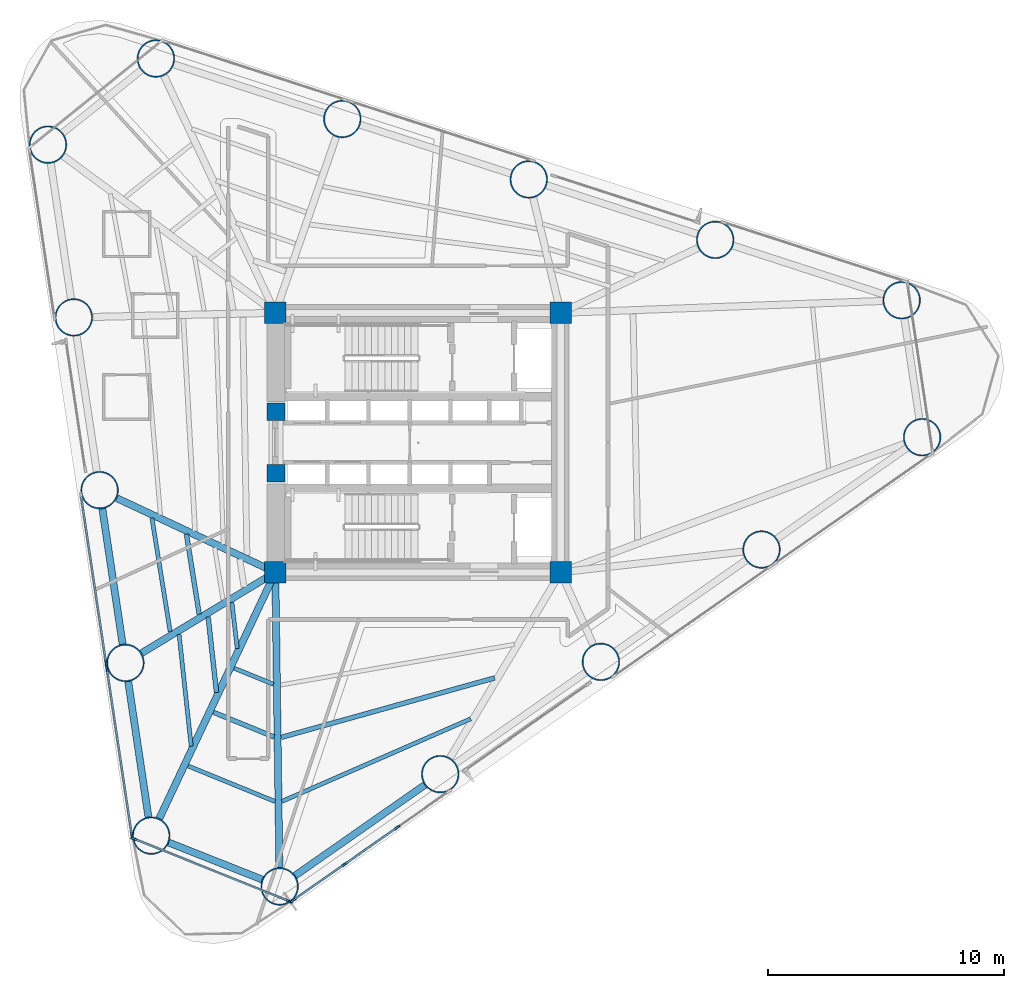
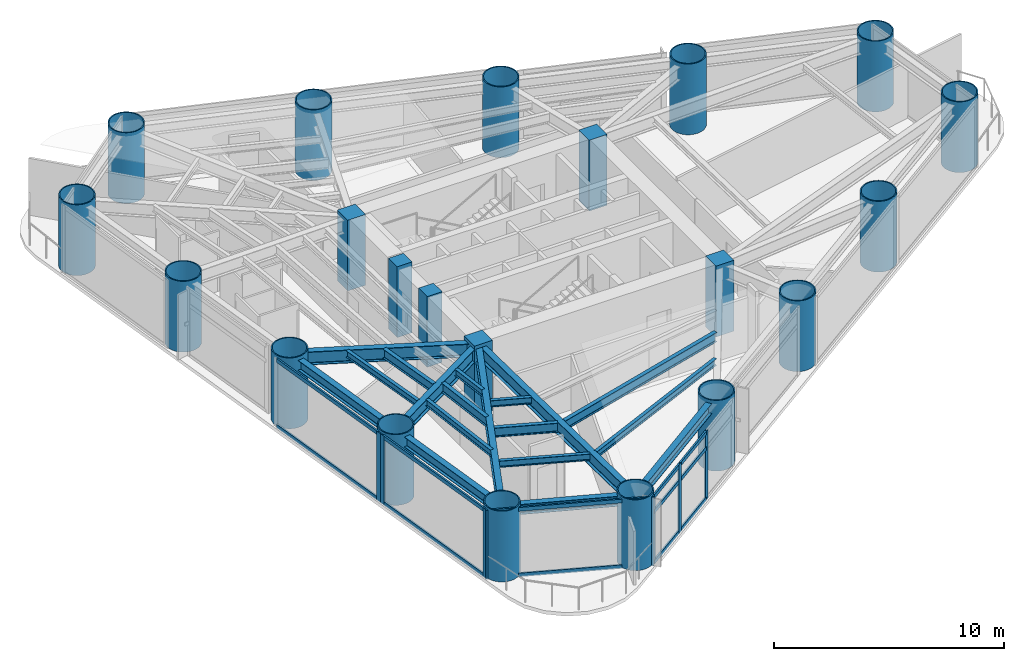
# One storey, part 1 of 11: 21 columns, 20 members, 18 beams, 4 elements without a shape of their own.
"""IFC4 building model written with IfcOpenShell, lengths in metres."""

from ifc_helpers import new_model, si_unit, direction, frame, origin, origin_2d, place, context, subcontext, project, spatial, rectangle, hollow_circle, i_section, extrude, source, transform, mapped, material, layer, layer_set, material_profile, profile_set, type_object, element, aggregate, save


model = new_model("IFC4")

# Units and contexts
model_context = context("Model", 3, precision=1e-05, world=origin(), true_north=direction((0.0, 1.0)))
body_context = subcontext(model_context, "Body", "Model", "MODEL_VIEW")
ifc_project = project(units=[si_unit("LENGTHUNIT", "METRE"), si_unit("AREAUNIT", "SQUARE_METRE"), si_unit("VOLUMEUNIT", "CUBIC_METRE"), si_unit("PLANEANGLEUNIT", "RADIAN"), si_unit("MASSUNIT", "GRAM", prefix="KILO")], contexts=[model_context])

# Site, building, storey
site_placement = place(None, origin())
site = spatial("IfcSite", under=ifc_project, at=site_placement, CompositionType="ELEMENT")
building_placement = place(site_placement, origin())
building = spatial("IfcBuilding", under=site, at=building_placement, Name="Yunling Apex Tower", CompositionType="ELEMENT")
storey_placement = place(building_placement, frame((0.0, 0.0, 54.800048828125)))
storey = spatial("IfcBuildingStorey", under=building, at=storey_placement, Name="L14", CompositionType="ELEMENT", Elevation=54.800048828125)

# Columns
ifc_material_1 = material(Name="Concrete C60", Category="concrete")
ifc_material_profile_1 = material_profile(ifc_material_1, rectangle(XDim=0.89990234375, YDim=0.89990234375, at=origin_2d()))
ifc_profile_set_1 = profile_set([ifc_material_profile_1], Name="Concrete C60")
column_type_1 = type_object("IfcColumnType", Name="PC-SRC-3", PredefinedType="COLUMN", material=ifc_profile_set_1)
shared_shape_1 = source(origin(), body_context, "Body", "SweptSolid", [
    extrude(rectangle(XDim=0.89990234375, YDim=0.89990234375, at=origin_2d()), origin(), (0.0, 0.0, 1.0), 3.75),
])
for number, where, z_axis, x_axis, name in (
    (1, (-6.050048828125, -5.5, 0.0), (0.0, 0.0, 1.0), (1.0, 0.0, 0.0), "L14 Core Spine Column CC-SW"),
    (2, (6.050048828125, -5.5, 0.0), (0.0, 0.0, 1.0), (1.0, 0.0, 0.0), "L14 Core Spine Column CC-SE"),
    (3, (6.050048828125, 5.5, 0.0), (0.0, 0.0, 1.0), (1.0, 0.0, 0.0), "L14 Core Spine Column CC-NE"),
    (4, (-6.050048828125, 5.5, 0.0), (0.0, 0.0, 1.0), (1.0, 0.0, 0.0), "L14 Core Spine Column CC-NW"),
):
    element("IfcColumn", number, at=place(storey_placement, frame(where, z_axis=z_axis, x_axis=x_axis)), inside=storey, type_object=column_type_1, Name=name, PredefinedType="COLUMN", context=body_context, shape_type="MappedRepresentation", body=[
        mapped(shared_shape_1, transform((0.0, 0.0, 0.0), scale=1.0)),
    ])
ifc_material_2 = material(Name="Concrete C50", Category="concrete")
ifc_material_profile_2 = material_profile(ifc_material_2, rectangle(XDim=0.75, YDim=0.75, at=origin_2d()))
ifc_profile_set_2 = profile_set([ifc_material_profile_2], Name="Concrete C50")
column_type_2 = type_object("IfcColumnType", Name="PC-SRC-4", PredefinedType="COLUMN", material=ifc_profile_set_2)
shared_shape_2 = source(origin(), body_context, "Body", "SweptSolid", [
    extrude(rectangle(XDim=0.75, YDim=0.75, at=origin_2d()), origin(), (0.0, 0.0, 1.0), 3.75),
])
for number, where, z_axis, x_axis, name in (
    (5, (-6.02490234375, -1.300048828125, 0.0), (0.0, 0.0, 1.0), (1.0, 0.0, 0.0), "L14 Core West Portal Jamb Column S"),
    (6, (-6.02490234375, 1.300048828125, 0.0), (0.0, 0.0, 1.0), (1.0, 0.0, 0.0), "L14 Core West Portal Jamb Column N"),
):
    element("IfcColumn", number, at=place(storey_placement, frame(where, z_axis=z_axis, x_axis=x_axis)), inside=storey, type_object=column_type_2, Name=name, PredefinedType="COLUMN", context=body_context, shape_type="MappedRepresentation", body=[
        mapped(shared_shape_2, transform((0.0, 0.0, 0.0), scale=1.0)),
    ])
ifc_material_3 = material(Name="Steel Q390GJC", Category="steel")
ifc_material_profile_3 = material_profile(ifc_material_3, hollow_circle(Radius=0.800048828125, WallThickness=0.054931640625, at=origin_2d()))
ifc_profile_set_3 = profile_set([ifc_material_profile_3], Name="Steel Q390GJC")
column_type_3 = type_object("IfcColumnType", Name="MC-CFST-1", PredefinedType="COLUMN", material=ifc_profile_set_3)
shared_shape_3 = source(origin(), body_context, "Body", "SweptSolid", [
    extrude(hollow_circle(Radius=0.800048828125, WallThickness=0.054931640625, at=origin_2d()), origin(), (0.0, 0.0, 1.0), 3.75),
])
for number, where, z_axis, x_axis, name in (
    (7, (-5.8681640625, -18.8193359375, 0.0), (0.0, 0.0, 1.0), (1.0, 0.0, 0.0), "L14 Perimeter CFST Mega-Column P01"),
    (8, (0.941650390625, -14.05810546875, 0.0), (0.0, 0.0, 1.0), (1.0, 0.0, 0.0), "L14 Perimeter CFST Mega-Column P02"),
    (9, (7.751708984375, -9.296875, 0.0), (0.0, 0.0, 1.0), (1.0, 0.0, 0.0), "L14 Perimeter CFST Mega-Column P03"),
    (10, (14.5615234375, -4.535400390625, 0.0), (0.0, 0.0, 1.0), (1.0, 0.0, 0.0), "L14 Perimeter CFST Mega-Column P04"),
    (11, (21.371337890625, 0.225830078125, 0.0), (0.0, 0.0, 1.0), (1.0, 0.0, 0.0), "L14 Perimeter CFST Mega-Column P05"),
    (12, (20.50341796875, 6.032470703125, 0.0), (0.0, 0.0, 1.0), (1.0, 0.0, 0.0), "L14 Perimeter CFST Mega-Column P06"),
    (13, (12.59912109375, 8.594482421875, 0.0), (0.0, 0.0, 1.0), (1.0, 0.0, 0.0), "L14 Perimeter CFST Mega-Column P07"),
    (14, (4.69482421875, 11.15673828125, 0.0), (0.0, 0.0, 1.0), (1.0, 0.0, 0.0), "L14 Perimeter CFST Mega-Column P08"),
    (15, (-3.209716796875, 13.718994140625, 0.0), (0.0, 0.0, 1.0), (1.0, 0.0, 0.0), "L14 Perimeter CFST Mega-Column P09"),
    (16, (-11.114013671875, 16.28125, 0.0), (0.0, 0.0, 1.0), (1.0, 0.0, 0.0), "L14 Perimeter CFST Mega-Column P10"),
    (17, (-15.689208984375, 12.62939453125, 0.0), (0.0, 0.0, 1.0), (1.0, 0.0, 0.0), "L14 Perimeter CFST Mega-Column P11"),
    (18, (-14.594482421875, 5.305908203125, 0.0), (0.0, 0.0, 1.0), (1.0, 0.0, 0.0), "L14 Perimeter CFST Mega-Column P12"),
    (19, (-13.5, -2.017578125, 0.0), (0.0, 0.0, 1.0), (1.0, 0.0, 0.0), "L14 Perimeter CFST Mega-Column P13"),
    (20, (-12.405517578125, -9.341064453125, 0.0), (0.0, 0.0, 1.0), (1.0, 0.0, 0.0), "L14 Perimeter CFST Mega-Column P14"),
    (21, (-11.31103515625, -16.66455078125, 0.0), (0.0, 0.0, 1.0), (1.0, 0.0, 0.0), "L14 Perimeter CFST Mega-Column P15"),
):
    element("IfcColumn", number, at=place(storey_placement, frame(where, z_axis=z_axis, x_axis=x_axis)), inside=storey, type_object=column_type_3, Name=name, PredefinedType="COLUMN", context=body_context, shape_type="MappedRepresentation", body=[
        mapped(shared_shape_3, transform((0.0, 0.0, 0.0), scale=1.0)),
    ])

# Beams
ifc_material_4 = material(Name="Steel Q355B", Category="steel")
ifc_material_profile_4 = material_profile(ifc_material_4, i_section(OverallWidth=0.300048828125, OverallDepth=0.5400390625, WebThickness=0.011962890625, FlangeThickness=0.02001953125, FilletRadius=0.02392578125, at=origin_2d()))
ifc_profile_set_4 = profile_set([ifc_material_profile_4], Name="Steel Q355B")
beam_type_1 = type_object("IfcBeamType", Name="BP-SPN-1", PredefinedType="SPANDREL", material=ifc_profile_set_4)
shared_shape_4 = source(origin(), body_context, "Body", "SweptSolid", [
    extrude(i_section(OverallWidth=0.300048828125, OverallDepth=0.5400390625, WebThickness=0.011962890625, FlangeThickness=0.02001953125, FilletRadius=0.02392578125, at=origin_2d()), origin(), (0.0, 0.0, 1.0), 6.721435546875),
])
beam_1_placement = place(storey_placement, frame((-5.217529296875, -18.364501953125, 3.294921875), z_axis=(0.81955772083, 0.572996633697, 0.0), x_axis=(-0.572996633697, 0.81955772083, 0.0)))
element("IfcBeam", 22, at=beam_1_placement, inside=storey, type_object=beam_type_1, Name="L14 Perimeter Spandrel Beam 1", PredefinedType="SPANDREL", context=body_context, shape_type="MappedRepresentation", body=[
    mapped(shared_shape_4, transform((0.0, 0.0, 0.0), scale=1.0)),
])
shared_shape_5 = source(origin(), body_context, "Body", "SweptSolid", [
    extrude(i_section(OverallWidth=0.300048828125, OverallDepth=0.5400390625, WebThickness=0.011962890625, FlangeThickness=0.02001953125, FilletRadius=0.02392578125, at=origin_2d()), origin(), (0.0, 0.0, 1.0), 4.265869140625),
])
beam_2_placement = place(storey_placement, frame((-10.57275390625, -16.956787109375, 3.294921875), z_axis=(0.929781313093, -0.368112360323, 0.0), x_axis=(0.368112360323, 0.929781313093, 0.0)))
element("IfcBeam", 23, at=beam_2_placement, inside=storey, type_object=beam_type_1, Name="L14 Perimeter Spandrel Beam 15", PredefinedType="SPANDREL", context=body_context, shape_type="MappedRepresentation", body=[
    mapped(shared_shape_5, transform((0.0, 0.0, 0.0), scale=1.0)),
])
shared_shape_6 = source(origin(), body_context, "Body", "SweptSolid", [
    extrude(i_section(OverallWidth=0.300048828125, OverallDepth=0.5400390625, WebThickness=0.011962890625, FlangeThickness=0.02001953125, FilletRadius=0.02392578125, at=origin_2d()), origin(), (0.0, 0.0, 1.0), 5.81689453125),
])
for number, where, z_axis, x_axis, name in (
    (24, (-13.3828125, -2.802978515625, 3.294921875), (0.147823230204, -0.989013797989, 0.0), (0.989013797989, 0.147823230204, 0.0), "L14 Perimeter Spandrel Beam 13"),
    (25, (-12.2880859375, -10.12646484375, 3.294921875), (0.14778217558, -0.989019933359, 0.0), (0.989019933359, 0.14778217558, 0.0), "L14 Perimeter Spandrel Beam 14"),
):
    element("IfcBeam", number, at=place(storey_placement, frame(where, z_axis=z_axis, x_axis=x_axis)), inside=storey, type_object=beam_type_1, Name=name, PredefinedType="SPANDREL", context=body_context, shape_type="MappedRepresentation", body=[
        mapped(shared_shape_6, transform((0.0, 0.0, 0.0), scale=1.0)),
    ])
ifc_material_profile_5 = material_profile(ifc_material_4, i_section(OverallWidth=0.300048828125, OverallDepth=0.699951171875, WebThickness=0.012939453125, FlangeThickness=0.02392578125, FilletRadius=0.02587890625, at=origin_2d()))
ifc_profile_set_5 = profile_set([ifc_material_profile_5], Name="Steel Q355B")
beam_type_2 = type_object("IfcBeamType", Name="BG-PRI-3", PredefinedType="USERDEFINED", material=ifc_profile_set_5)
shared_shape_7 = source(origin(), body_context, "Body", "SweptSolid", [
    extrude(i_section(OverallWidth=0.300048828125, OverallDepth=0.699951171875, WebThickness=0.012939453125, FlangeThickness=0.02392578125, FilletRadius=0.02587890625, at=origin_2d()), origin(), (0.0, 0.0, 1.0), 12.4326171875),
])
beam_3_placement = place(storey_placement, frame((-5.879150390625, -18.011474609375, 3.21484375), z_axis=(-0.013647857779, 0.999906863652, 0.0), x_axis=(-0.999906863652, -0.013647857779, 0.0)))
element("IfcBeam", 26, at=beam_3_placement, inside=storey, type_object=beam_type_2, Name="L14 Radial Primary Girder R01", ObjectType="GIRDER", PredefinedType="USERDEFINED", context=body_context, shape_type="MappedRepresentation", body=[
    mapped(shared_shape_7, transform((0.0, 0.0, 0.0), scale=1.0)),
])
shared_shape_8 = source(origin(), body_context, "Body", "SweptSolid", [
    extrude(i_section(OverallWidth=0.300048828125, OverallDepth=0.699951171875, WebThickness=0.012939453125, FlangeThickness=0.02392578125, FilletRadius=0.02587890625, at=origin_2d()), origin(), (0.0, 0.0, 1.0), 7.335693359375),
])
beam_4_placement = place(storey_placement, frame((-12.76806640625, -2.35986328125, 3.21484375), z_axis=(0.905923640783, -0.423441090437, 0.0), x_axis=(0.423441090437, 0.905923640783, 0.0)))
element("IfcBeam", 27, at=beam_4_placement, inside=storey, type_object=beam_type_2, Name="L14 Radial Primary Girder R13", ObjectType="GIRDER", PredefinedType="USERDEFINED", context=body_context, shape_type="MappedRepresentation", body=[
    mapped(shared_shape_8, transform((0.0, 0.0, 0.0), scale=1.0)),
])
shared_shape_9 = source(origin(), body_context, "Body", "SweptSolid", [
    extrude(i_section(OverallWidth=0.300048828125, OverallDepth=0.699951171875, WebThickness=0.012939453125, FlangeThickness=0.02392578125, FilletRadius=0.02587890625, at=origin_2d()), origin(), (0.0, 0.0, 1.0), 6.5380859375),
])
beam_5_placement = place(storey_placement, frame((-11.714111328125, -8.923095703125, 3.21484375), z_axis=(0.855857690559, 0.517211381847, 0.0), x_axis=(-0.517211381847, 0.855857690559, 0.0)))
element("IfcBeam", 28, at=beam_5_placement, inside=storey, type_object=beam_type_2, Name="L14 Radial Primary Girder R14", ObjectType="GIRDER", PredefinedType="USERDEFINED", context=body_context, shape_type="MappedRepresentation", body=[
    mapped(shared_shape_9, transform((0.0, 0.0, 0.0), scale=1.0)),
])
shared_shape_10 = source(origin(), body_context, "Body", "SweptSolid", [
    extrude(i_section(OverallWidth=0.300048828125, OverallDepth=0.699951171875, WebThickness=0.012939453125, FlangeThickness=0.02392578125, FilletRadius=0.02587890625, at=origin_2d()), origin(), (0.0, 0.0, 1.0), 11.4541015625),
])
beam_6_placement = place(storey_placement, frame((-10.966796875, -15.93359375, 3.21484375), z_axis=(0.426297901301, 0.904582831667, 0.0), x_axis=(-0.904582831667, 0.426297901301, 0.0)))
element("IfcBeam", 29, at=beam_6_placement, inside=storey, type_object=beam_type_2, Name="L14 Radial Primary Girder R15", ObjectType="GIRDER", PredefinedType="USERDEFINED", context=body_context, shape_type="MappedRepresentation", body=[
    mapped(shared_shape_10, transform((0.0, 0.0, 0.0), scale=1.0)),
])
ifc_material_profile_6 = material_profile(ifc_material_4, i_section(OverallWidth=0.199951171875, OverallDepth=0.5, WebThickness=0.010009765625, FlangeThickness=0.01611328125, FilletRadius=0.02001953125, at=origin_2d()))
ifc_profile_set_6 = profile_set([ifc_material_profile_6], Name="Steel Q355B")
beam_type_3 = type_object("IfcBeamType", Name="BS-SEC-2", PredefinedType="BEAM", material=ifc_profile_set_6)
shared_shape_11 = source(origin(), body_context, "Body", "SweptSolid", [
    extrude(i_section(OverallWidth=0.199951171875, OverallDepth=0.5, WebThickness=0.010009765625, FlangeThickness=0.01611328125, FilletRadius=0.02001953125, at=origin_2d()), origin(), (0.0, 0.0, 1.0), 9.3935546875),
])
beam_7_placement = place(storey_placement, frame((-5.7998046875, -12.498779296875, 3.31494140625), z_axis=(0.963300137935, 0.268426608693, 0.0), x_axis=(-0.268426608693, 0.963300137935, 0.0)))
element("IfcBeam", 30, at=beam_7_placement, inside=storey, type_object=beam_type_3, Name="L14 Composite Floor Beam BS-1", PredefinedType="BEAM", context=body_context, shape_type="MappedRepresentation", body=[
    mapped(shared_shape_11, transform((0.0, 0.0, 0.0), scale=1.0)),
])
ifc_material_profile_7 = material_profile(ifc_material_4, i_section(OverallWidth=0.175048828125, OverallDepth=0.35009765625, WebThickness=0.007080078125, FlangeThickness=0.010986328125, FilletRadius=0.013916015625, at=origin_2d()))
ifc_profile_set_7 = profile_set([ifc_material_profile_7], Name="Steel Q355B")
beam_type_4 = type_object("IfcBeamType", Name="BJ-JST-1", PredefinedType="JOIST", material=ifc_profile_set_7)
shared_shape_12 = source(origin(), body_context, "Body", "SweptSolid", [
    extrude(i_section(OverallWidth=0.175048828125, OverallDepth=0.35009765625, WebThickness=0.007080078125, FlangeThickness=0.010986328125, FilletRadius=0.013916015625, at=origin_2d()), origin(), (0.0, 0.0, 1.0), 8.734375),
])
beam_8_placement = place(storey_placement, frame((-5.77001953125, -15.21240234375, 3.389892578125), z_axis=(0.916252252871, 0.400601808668, 0.0), x_axis=(-0.400601808668, 0.916252252871, 0.0)))
element("IfcBeam", 31, at=beam_8_placement, inside=storey, type_object=beam_type_4, Name="L14 Composite Floor Joist BJ1-1", PredefinedType="JOIST", context=body_context, shape_type="MappedRepresentation", body=[
    mapped(shared_shape_12, transform((0.0, 0.0, 0.0), scale=1.0)),
])
shared_shape_13 = source(origin(), body_context, "Body", "SweptSolid", [
    extrude(i_section(OverallWidth=0.199951171875, OverallDepth=0.5, WebThickness=0.010009765625, FlangeThickness=0.01611328125, FilletRadius=0.02001953125, at=origin_2d()), origin(), (0.0, 0.0, 1.0), 3.435546875),
])
beam_9_placement = place(storey_placement, frame((-9.81884765625, -3.884521484375, 3.31494140625), z_axis=(0.157619096627, -0.987499985002, 0.0), x_axis=(0.987499985002, 0.157619096627, 0.0)))
element("IfcBeam", 32, at=beam_9_placement, inside=storey, type_object=beam_type_3, Name="L14 Composite Floor Beam BS-13", PredefinedType="BEAM", context=body_context, shape_type="MappedRepresentation", body=[
    mapped(shared_shape_13, transform((0.0, 0.0, 0.0), scale=1.0)),
])
shared_shape_14 = source(origin(), body_context, "Body", "SweptSolid", [
    extrude(i_section(OverallWidth=0.175048828125, OverallDepth=0.35009765625, WebThickness=0.007080078125, FlangeThickness=0.010986328125, FilletRadius=0.013916015625, at=origin_2d()), origin(), (0.0, 0.0, 1.0), 4.881591796875),
])
beam_10_placement = place(storey_placement, frame((-11.28076171875, -3.201171875, 3.389892578125), z_axis=(0.158240169421, -0.987400652614, 0.0), x_axis=(0.987400652614, 0.158240169421, 0.0)))
element("IfcBeam", 33, at=beam_10_placement, inside=storey, type_object=beam_type_4, Name="L14 Composite Floor Joist BJ1-13", PredefinedType="JOIST", context=body_context, shape_type="MappedRepresentation", body=[
    mapped(shared_shape_14, transform((0.0, 0.0, 0.0), scale=1.0)),
])
shared_shape_15 = source(origin(), body_context, "Body", "SweptSolid", [
    extrude(i_section(OverallWidth=0.199951171875, OverallDepth=0.5, WebThickness=0.010009765625, FlangeThickness=0.01611328125, FilletRadius=0.02001953125, at=origin_2d()), origin(), (0.0, 0.0, 1.0), 3.222412109375),
])
beam_11_placement = place(storey_placement, frame((-8.898681640625, -7.391357421875, 3.31494140625), z_axis=(0.110315104592, -0.993896663491, 0.0), x_axis=(0.993896663491, 0.110315104592, 0.0)))
element("IfcBeam", 34, at=beam_11_placement, inside=storey, type_object=beam_type_3, Name="L14 Composite Floor Beam BS-14", PredefinedType="BEAM", context=body_context, shape_type="MappedRepresentation", body=[
    mapped(shared_shape_15, transform((0.0, 0.0, 0.0), scale=1.0)),
])
shared_shape_16 = source(origin(), body_context, "Body", "SweptSolid", [
    extrude(i_section(OverallWidth=0.175048828125, OverallDepth=0.35009765625, WebThickness=0.007080078125, FlangeThickness=0.010986328125, FilletRadius=0.013916015625, at=origin_2d()), origin(), (0.0, 0.0, 1.0), 4.765869140625),
])
beam_12_placement = place(storey_placement, frame((-10.130126953125, -8.135498046875, 3.389892578125), z_axis=(0.107732282993, -0.994179941058, 0.0), x_axis=(0.994179941058, 0.107732282993, 0.0)))
element("IfcBeam", 35, at=beam_12_placement, inside=storey, type_object=beam_type_4, Name="L14 Composite Floor Joist BJ1-14", PredefinedType="JOIST", context=body_context, shape_type="MappedRepresentation", body=[
    mapped(shared_shape_16, transform((0.0, 0.0, 0.0), scale=1.0)),
])
shared_shape_17 = source(origin(), body_context, "Body", "SweptSolid", [
    extrude(i_section(OverallWidth=0.175048828125, OverallDepth=0.35009765625, WebThickness=0.007080078125, FlangeThickness=0.010986328125, FilletRadius=0.013916015625, at=origin_2d()), origin(), (0.0, 0.0, 1.0), 1.95947265625),
])
beam_13_placement = place(storey_placement, frame((-7.890625, -6.782470703125, 3.389892578125), z_axis=(0.11512063256, -0.993351518829, 0.0), x_axis=(0.993351518829, 0.11512063256, 0.0)))
element("IfcBeam", 36, at=beam_13_placement, inside=storey, type_object=beam_type_4, Name="L14 Composite Floor Joist BJ3-14", PredefinedType="JOIST", context=body_context, shape_type="MappedRepresentation", body=[
    mapped(shared_shape_17, transform((0.0, 0.0, 0.0), scale=1.0)),
])
shared_shape_18 = source(origin(), body_context, "Body", "SweptSolid", [
    extrude(i_section(OverallWidth=0.199951171875, OverallDepth=0.5, WebThickness=0.010009765625, FlangeThickness=0.01611328125, FilletRadius=0.02001953125, at=origin_2d()), origin(), (0.0, 0.0, 1.0), 2.77294921875),
])
beam_14_placement = place(storey_placement, frame((-8.670166015625, -11.43505859375, 3.31494140625), z_axis=(0.926108309986, -0.377257734413, 0.0), x_axis=(0.377257734413, 0.926108309986, 0.0)))
element("IfcBeam", 37, at=beam_14_placement, inside=storey, type_object=beam_type_3, Name="L14 Composite Floor Beam BS-15", PredefinedType="BEAM", context=body_context, shape_type="MappedRepresentation", body=[
    mapped(shared_shape_18, transform((0.0, 0.0, 0.0), scale=1.0)),
])
shared_shape_19 = source(origin(), body_context, "Body", "SweptSolid", [
    extrude(i_section(OverallWidth=0.175048828125, OverallDepth=0.35009765625, WebThickness=0.007080078125, FlangeThickness=0.010986328125, FilletRadius=0.013916015625, at=origin_2d()), origin(), (0.0, 0.0, 1.0), 3.97412109375),
])
beam_15_placement = place(storey_placement, frame((-9.744384765625, -13.714599609375, 3.389892578125), z_axis=(0.925887115862, -0.377800276178, 0.0), x_axis=(0.377800276178, 0.925887115862, 0.0)))
element("IfcBeam", 38, at=beam_15_placement, inside=storey, type_object=beam_type_4, Name="L14 Composite Floor Joist BJ1-15", PredefinedType="JOIST", context=body_context, shape_type="MappedRepresentation", body=[
    mapped(shared_shape_19, transform((0.0, 0.0, 0.0), scale=1.0)),
])
shared_shape_20 = source(origin(), body_context, "Body", "SweptSolid", [
    extrude(i_section(OverallWidth=0.175048828125, OverallDepth=0.35009765625, WebThickness=0.007080078125, FlangeThickness=0.010986328125, FilletRadius=0.013916015625, at=origin_2d()), origin(), (0.0, 0.0, 1.0), 1.790283203125),
])
beam_16_placement = place(storey_placement, frame((-7.791259765625, -9.56982421875, 3.389892578125), z_axis=(0.926469549023, -0.376369731425, 0.0), x_axis=(0.376369731425, 0.926469549023, 0.0)))
element("IfcBeam", 39, at=beam_16_placement, inside=storey, type_object=beam_type_4, Name="L14 Composite Floor Joist BJ3-15", PredefinedType="JOIST", context=body_context, shape_type="MappedRepresentation", body=[
    mapped(shared_shape_20, transform((0.0, 0.0, 0.0), scale=1.0)),
])

# Curtain wall, members
ifc_material_5 = material(Name="Bronze anodised aluminium", Category="aluminium")
ifc_layer = layer(ifc_material_5, 0.260009765625)
ifc_layer_set = layer_set([ifc_layer], Name="Bronze anodised aluminium")
curtain_wall_type = type_object("IfcCurtainWallType", Name="CW-SYS-2", PredefinedType="NOTDEFINED", material=ifc_layer_set)
curtain_wall_1_placement = place(storey_placement, origin())
curtain_wall_1 = element("IfcCurtainWall", 40, at=curtain_wall_1_placement, inside=storey, type_object=curtain_wall_type, Name="CW-L14-F1-B1", PredefinedType="NOTDEFINED")
ifc_material_profile_8 = material_profile(ifc_material_5, rectangle(XDim=0.0849609375, YDim=0.260009765625, at=origin_2d()))
ifc_profile_set_8 = profile_set([ifc_material_profile_8], Name="Bronze anodised aluminium")
member_type_1 = type_object("IfcMemberType", Name="CW-MUL-2", PredefinedType="MULLION", material=ifc_profile_set_8)
shared_shape_21 = source(origin(), body_context, "Body", "SweptSolid", [
    extrude(rectangle(XDim=0.0849609375, YDim=0.260009765625, at=origin_2d()), origin(), (0.0, 0.0, 1.0), 3.6650390625),
])
member_1_placement = place(storey_placement, frame((-5.3037109375, -19.412841796875, -0.050048828125), z_axis=(0.0, 0.0, 1.0), x_axis=(-0.573004358875, 0.819552319691, 0.0)))
member_1 = element("IfcMember", 41, at=member_1_placement, type_object=member_type_1, Name="CW-SYS-2 mullion 1", PredefinedType="MULLION", context=body_context, shape_type="MappedRepresentation", body=[
    mapped(shared_shape_21, transform((0.0, 0.0, 0.0), scale=1.0)),
])
member_2_placement = place(storey_placement, frame((-3.1123046875, -17.880859375, -0.050048828125), z_axis=(0.0, 0.0, 1.0), x_axis=(-0.573004358875, 0.819552319691, 0.0)))
member_2 = element("IfcMember", 42, at=member_2_placement, type_object=member_type_1, Name="CW-SYS-2 mullion 2", PredefinedType="MULLION", context=body_context, shape_type="MappedRepresentation", body=[
    mapped(shared_shape_21, transform((0.0, 0.0, 0.0), scale=1.0)),
])
member_3_placement = place(storey_placement, frame((-0.885986328125, -16.32421875, -0.050048828125), z_axis=(0.0, 0.0, 1.0), x_axis=(-0.573004358875, 0.819552319691, 0.0)))
member_3 = element("IfcMember", 43, at=member_3_placement, type_object=member_type_1, Name="CW-SYS-2 mullion 3", PredefinedType="MULLION", context=body_context, shape_type="MappedRepresentation", body=[
    mapped(shared_shape_21, transform((0.0, 0.0, 0.0), scale=1.0)),
])

# Curtain wall, member
curtain_wall_2_placement = place(storey_placement, origin())
curtain_wall_2 = element("IfcCurtainWall", 44, at=curtain_wall_2_placement, inside=storey, type_object=curtain_wall_type, Name="CW-L14-F3-B3", PredefinedType="NOTDEFINED")
member_4_placement = place(storey_placement, frame((-13.224853515625, -9.339599609375, -0.050048828125), z_axis=(0.0, 0.0, 1.0), x_axis=(0.98901508166, 0.147814641525, 0.0)))
member_4 = element("IfcMember", 45, at=member_4_placement, type_object=member_type_1, Name="CW-SYS-2 mullion 2", PredefinedType="MULLION", context=body_context, shape_type="MappedRepresentation", body=[
    mapped(shared_shape_21, transform((0.0, 0.0, 0.0), scale=1.0)),
])

# Curtain wall, members
curtain_wall_3_placement = place(storey_placement, origin())
curtain_wall_3 = element("IfcCurtainWall", 46, at=curtain_wall_3_placement, inside=storey, type_object=curtain_wall_type, Name="CW-L14-F3-B4", PredefinedType="NOTDEFINED")
member_5_placement = place(storey_placement, frame((-13.1884765625, -9.58203125, -0.050048828125), z_axis=(0.0, 0.0, 1.0), x_axis=(0.989017099422, 0.14780114022, 0.0)))
member_5 = element("IfcMember", 47, at=member_5_placement, type_object=member_type_1, Name="CW-SYS-2 mullion 1", PredefinedType="MULLION", context=body_context, shape_type="MappedRepresentation", body=[
    mapped(shared_shape_21, transform((0.0, 0.0, 0.0), scale=1.0)),
])
member_6_placement = place(storey_placement, frame((-12.13037109375, -16.6630859375, -0.050048828125), z_axis=(0.0, 0.0, 1.0), x_axis=(0.989017099422, 0.14780114022, 0.0)))
member_6 = element("IfcMember", 48, at=member_6_placement, type_object=member_type_1, Name="CW-SYS-2 mullion 2", PredefinedType="MULLION", context=body_context, shape_type="MappedRepresentation", body=[
    mapped(shared_shape_21, transform((0.0, 0.0, 0.0), scale=1.0)),
])

curtain_wall_4_placement = place(storey_placement, origin())
curtain_wall_4 = element("IfcCurtainWall", 49, at=curtain_wall_4_placement, inside=storey, type_object=curtain_wall_type, Name="CW-L14-CRN3", PredefinedType="NOTDEFINED")
member_7_placement = place(storey_placement, frame((-12.052978515625, -16.79736328125, -0.050048828125), z_axis=(0.0, 0.0, 1.0), x_axis=(0.373143693329, 0.927773562961, 0.0)))
member_7 = element("IfcMember", 50, at=member_7_placement, type_object=member_type_1, Name="CW-SYS-2 mullion 1", PredefinedType="MULLION", context=body_context, shape_type="MappedRepresentation", body=[
    mapped(shared_shape_21, transform((0.0, 0.0, 0.0), scale=1.0)),
])
member_8_placement = place(storey_placement, frame((-5.454833984375, -19.450927734375, -0.050048828125), z_axis=(0.0, 0.0, 1.0), x_axis=(0.373143693329, 0.927773562961, 0.0)))
member_8 = element("IfcMember", 51, at=member_8_placement, type_object=member_type_1, Name="CW-SYS-2 mullion 2", PredefinedType="MULLION", context=body_context, shape_type="MappedRepresentation", body=[
    mapped(shared_shape_21, transform((0.0, 0.0, 0.0), scale=1.0)),
])

# Member
ifc_material_profile_9 = material_profile(ifc_material_5, rectangle(XDim=0.0849609375, YDim=0.199951171875, at=origin_2d()))
ifc_profile_set_9 = profile_set([ifc_material_profile_9], Name="Bronze anodised aluminium")
member_type_2 = type_object("IfcMemberType", Name="CW-TRN-2", PredefinedType="USERDEFINED", material=ifc_profile_set_9)
shared_shape_22 = source(origin(), body_context, "Body", "SweptSolid", [
    extrude(rectangle(XDim=0.0849609375, YDim=0.199951171875, at=origin_2d()), origin(), (0.0, 0.0, 1.0), 2.597412109375),
])
member_9_placement = place(storey_placement, frame((-5.272216796875, -19.39111328125, 0.04248046875), z_axis=(0.819510013096, 0.573064864073, 0.0), x_axis=(-0.573064864073, 0.819510013096, 0.0)))
member_9 = element("IfcMember", 52, at=member_9_placement, type_object=member_type_2, Name="CW-SYS-2 transom 1.1", ObjectType="TRANSOM", PredefinedType="USERDEFINED", context=body_context, shape_type="MappedRepresentation", body=[
    mapped(shared_shape_22, transform((0.0, 0.0, 0.0), scale=1.0)),
])

member_10_placement = place(storey_placement, frame((-5.272216796875, -19.39111328125, 2.71484375), z_axis=(0.819510013096, 0.573064864073, 0.0), x_axis=(-0.573064864073, 0.819510013096, 0.0)))
member_10 = element("IfcMember", 53, at=member_10_placement, type_object=member_type_2, Name="CW-SYS-2 transom 1.2", ObjectType="TRANSOM", PredefinedType="USERDEFINED", context=body_context, shape_type="MappedRepresentation", body=[
    mapped(shared_shape_22, transform((0.0, 0.0, 0.0), scale=1.0)),
])

member_11_placement = place(storey_placement, frame((-5.272216796875, -19.39111328125, 3.5224609375), z_axis=(0.819510013096, 0.573064864073, 0.0), x_axis=(-0.573064864073, 0.819510013096, 0.0)))
member_11 = element("IfcMember", 54, at=member_11_placement, type_object=member_type_2, Name="CW-SYS-2 transom 1.3", ObjectType="TRANSOM", PredefinedType="USERDEFINED", context=body_context, shape_type="MappedRepresentation", body=[
    mapped(shared_shape_22, transform((0.0, 0.0, 0.0), scale=1.0)),
])

shared_shape_23 = source(origin(), body_context, "Body", "SweptSolid", [
    extrude(rectangle(XDim=0.0849609375, YDim=0.199951171875, at=origin_2d()), origin(), (0.0, 0.0, 1.0), 2.639892578125),
])
member_12_placement = place(storey_placement, frame((-3.080810546875, -17.85888671875, 0.04248046875), z_axis=(0.81955329767, 0.573002960095, 0.0), x_axis=(-0.573002960095, 0.81955329767, 0.0)))
member_12 = element("IfcMember", 55, at=member_12_placement, type_object=member_type_2, Name="CW-SYS-2 transom 2.1", ObjectType="TRANSOM", PredefinedType="USERDEFINED", context=body_context, shape_type="MappedRepresentation", body=[
    mapped(shared_shape_23, transform((0.0, 0.0, 0.0), scale=1.0)),
])

member_13_placement = place(storey_placement, frame((-3.080810546875, -17.85888671875, 2.71484375), z_axis=(0.81955329767, 0.573002960095, 0.0), x_axis=(-0.573002960095, 0.81955329767, 0.0)))
member_13 = element("IfcMember", 56, at=member_13_placement, type_object=member_type_2, Name="CW-SYS-2 transom 2.2", ObjectType="TRANSOM", PredefinedType="USERDEFINED", context=body_context, shape_type="MappedRepresentation", body=[
    mapped(shared_shape_23, transform((0.0, 0.0, 0.0), scale=1.0)),
])

member_14_placement = place(storey_placement, frame((-3.080810546875, -17.85888671875, 3.5224609375), z_axis=(0.81955329767, 0.573002960095, 0.0), x_axis=(-0.573002960095, 0.81955329767, 0.0)))
member_14 = element("IfcMember", 57, at=member_14_placement, type_object=member_type_2, Name="CW-SYS-2 transom 2.3", ObjectType="TRANSOM", PredefinedType="USERDEFINED", context=body_context, shape_type="MappedRepresentation", body=[
    mapped(shared_shape_23, transform((0.0, 0.0, 0.0), scale=1.0)),
])

aggregate(curtain_wall_1, [member_1, member_2, member_3, member_9, member_10, member_11, member_12, member_13, member_14])

shared_shape_24 = source(origin(), body_context, "Body", "SweptSolid", [
    extrude(rectangle(XDim=0.0849609375, YDim=0.199951171875, at=origin_2d()), origin(), (0.0, 0.0, 1.0), 7.03515625),
])
member_15_placement = place(storey_placement, frame((-12.017578125, -16.8115234375, 0.04248046875), z_axis=(0.927768998615, -0.373155041784, 0.0), x_axis=(0.373155041784, 0.927768998615, 0.0)))
member_15 = element("IfcMember", 58, at=member_15_placement, type_object=member_type_2, Name="CW-SYS-2 transom 1.1", ObjectType="TRANSOM", PredefinedType="USERDEFINED", context=body_context, shape_type="MappedRepresentation", body=[
    mapped(shared_shape_24, transform((0.0, 0.0, 0.0), scale=1.0)),
])

member_16_placement = place(storey_placement, frame((-12.017578125, -16.8115234375, 3.5224609375), z_axis=(0.927768998615, -0.373155041784, 0.0), x_axis=(0.373155041784, 0.927768998615, 0.0)))
member_16 = element("IfcMember", 59, at=member_16_placement, type_object=member_type_2, Name="CW-SYS-2 transom 1.2", ObjectType="TRANSOM", PredefinedType="USERDEFINED", context=body_context, shape_type="MappedRepresentation", body=[
    mapped(shared_shape_24, transform((0.0, 0.0, 0.0), scale=1.0)),
])

aggregate(curtain_wall_4, [member_7, member_8, member_15, member_16])

shared_shape_25 = source(origin(), body_context, "Body", "SweptSolid", [
    extrude(rectangle(XDim=0.0849609375, YDim=0.199951171875, at=origin_2d()), origin(), (0.0, 0.0, 1.0), 7.08349609375),
])
member_17_placement = place(storey_placement, frame((-14.27734375, -2.296142578125, 0.04248046875), z_axis=(0.147792672874, -0.989018364766, 0.0), x_axis=(0.989018364766, 0.147792672874, 0.0)))
member_17 = element("IfcMember", 60, at=member_17_placement, type_object=member_type_2, Name="CW-SYS-2 transom 1.1", ObjectType="TRANSOM", PredefinedType="USERDEFINED", context=body_context, shape_type="MappedRepresentation", body=[
    mapped(shared_shape_25, transform((0.0, 0.0, 0.0), scale=1.0)),
])

member_18_placement = place(storey_placement, frame((-14.27734375, -2.296142578125, 3.5224609375), z_axis=(0.147792672874, -0.989018364766, 0.0), x_axis=(0.989018364766, 0.147792672874, 0.0)))
member_18 = element("IfcMember", 61, at=member_18_placement, type_object=member_type_2, Name="CW-SYS-2 transom 1.2", ObjectType="TRANSOM", PredefinedType="USERDEFINED", context=body_context, shape_type="MappedRepresentation", body=[
    mapped(shared_shape_25, transform((0.0, 0.0, 0.0), scale=1.0)),
])

aggregate(curtain_wall_2, [member_4, member_17, member_18])

shared_shape_26 = source(origin(), body_context, "Body", "SweptSolid", [
    extrude(rectangle(XDim=0.0849609375, YDim=0.199951171875, at=origin_2d()), origin(), (0.0, 0.0, 1.0), 7.083251953125),
])
member_19_placement = place(storey_placement, frame((-13.182861328125, -9.619873046875, 0.04248046875), z_axis=(0.147797711012, -0.989017611886, 0.0), x_axis=(0.989017611886, 0.147797711012, 0.0)))
member_19 = element("IfcMember", 62, at=member_19_placement, type_object=member_type_2, Name="CW-SYS-2 transom 1.1", ObjectType="TRANSOM", PredefinedType="USERDEFINED", context=body_context, shape_type="MappedRepresentation", body=[
    mapped(shared_shape_26, transform((0.0, 0.0, 0.0), scale=1.0)),
])

member_20_placement = place(storey_placement, frame((-13.182861328125, -9.619873046875, 3.5224609375), z_axis=(0.147797711012, -0.989017611886, 0.0), x_axis=(0.989017611886, 0.147797711012, 0.0)))
member_20 = element("IfcMember", 63, at=member_20_placement, type_object=member_type_2, Name="CW-SYS-2 transom 1.2", ObjectType="TRANSOM", PredefinedType="USERDEFINED", context=body_context, shape_type="MappedRepresentation", body=[
    mapped(shared_shape_26, transform((0.0, 0.0, 0.0), scale=1.0)),
])

aggregate(curtain_wall_3, [member_5, member_6, member_19, member_20])

save(model, "model.ifc")
